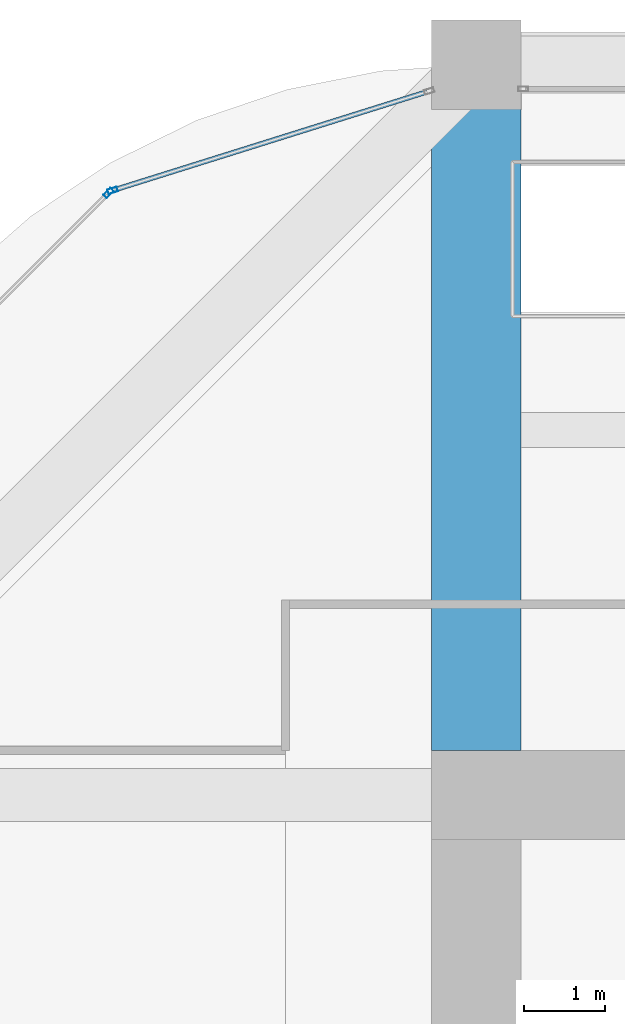
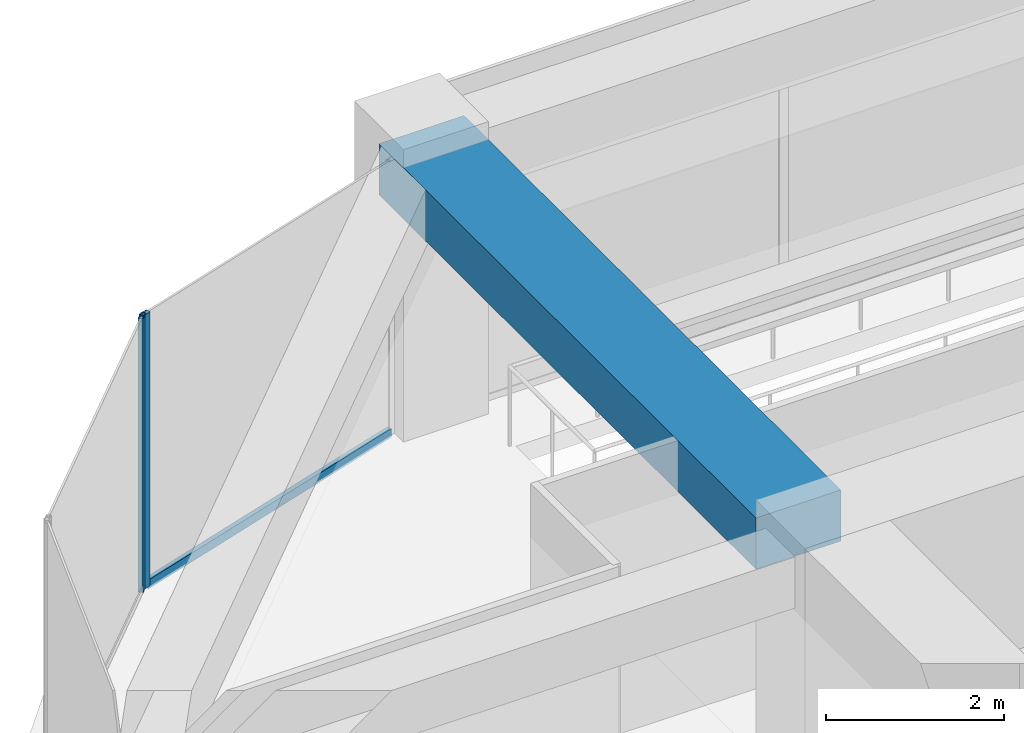
# One storey, part 30 of 44: 3 members, 1 beam, 2 elements without a shape of their own.
"""IFC4 building model written with IfcOpenShell, lengths in metres."""

from ifc_helpers import new_model, si_unit, direction, frame, origin, origin_2d, place, context, subcontext, project, spatial, rectangle, hollow_rectangle, extrude, material, material_profile, profile_set, type_object, element, aggregate, save


model = new_model("IFC4")

# Units and contexts
model_context = context("Model", 3, precision=1e-05, world=origin(), true_north=direction((0.0, 1.0)))
body_context = subcontext(model_context, "Body", "Model", "MODEL_VIEW")
ifc_project = project(units=[si_unit("LENGTHUNIT", "METRE"), si_unit("AREAUNIT", "SQUARE_METRE"), si_unit("VOLUMEUNIT", "CUBIC_METRE"), si_unit("PLANEANGLEUNIT", "RADIAN"), si_unit("MASSUNIT", "GRAM", prefix="KILO")], contexts=[model_context])

# Site, building, storey
site_placement = place(None, origin())
site = spatial("IfcSite", under=ifc_project, at=site_placement, CompositionType="ELEMENT")
building_placement = place(site_placement, origin())
building = spatial("IfcBuilding", under=site, at=building_placement, Name="Zorevar Civic Tower", CompositionType="ELEMENT")
storey_placement = place(building_placement, frame((0.0, 0.0, 275.39990234375)))
storey = spatial("IfcBuildingStorey", under=building, at=storey_placement, Name="L67", CompositionType="ELEMENT", Elevation=275.39990234375)

# Beam
ifc_material_1 = material(Name="Concrete C50/60", Category="concrete")
ifc_material_profile_1 = material_profile(ifc_material_1, rectangle(XDim=1.10009765625, YDim=0.699951171875, at=origin_2d()), Name="RC 1100x700")
ifc_profile_set_1 = profile_set([ifc_material_profile_1], Name="Concrete C50/60")
beam_type = type_object("IfcBeamType", Name="Beam RC 1100x700", PredefinedType="BEAM", material=ifc_profile_set_1)
beam_placement = place(storey_placement, frame((18.0, 36.550048828125, 3.400146484375), z_axis=(0.0, 1.0, 0.0), x_axis=(-1.0, 0.0, 0.0)))
element("IfcBeam", 1, at=beam_placement, inside=storey, type_object=beam_type, Name="Girder L68", PredefinedType="BEAM", context=body_context, shape_type="SweptSolid", body=[
    extrude(rectangle(XDim=1.10009765625, YDim=0.699951171875, at=origin_2d()), origin(), (0.0, 0.0, 1.0), 8.449951171875),
])

# Curtain wall, member
ifc_material_2 = material(Name="Dark grey solar-control glass in black aluminium frame", Category="aluminium")
curtain_wall_type = type_object("IfcCurtainWallType", Name="Curtain wall CW5 top zone", PredefinedType="NOTDEFINED", material=ifc_material_2)
curtain_wall_1_placement = place(storey_placement, origin())
curtain_wall_1 = element("IfcCurtainWall", 2, at=curtain_wall_1_placement, inside=storey, type_object=curtain_wall_type, Name="CW5 L67", PredefinedType="NOTDEFINED")
ifc_material_3 = material(Name="Aluminium, black anodised", Category="aluminium")
ifc_material_profile_2 = material_profile(ifc_material_3, hollow_rectangle(XDim=0.06005859375, YDim=0.1201171875, WallThickness=0.0029296875, at=origin_2d()), Name="AL 120x60x3")
ifc_profile_set_2 = profile_set([ifc_material_profile_2], Name="Aluminium, black anodised")
member_type_1 = type_object("IfcMemberType", Name="CW5 mullion AL 120x60x3", PredefinedType="MULLION", material=ifc_profile_set_2)
member_1_placement = place(storey_placement, frame((13.520751953125, 43.449951171875, 0.0), z_axis=(0.0, 0.0, 1.0), x_axis=(0.299317920238, -0.954153437674, 0.0)))
member_1 = element("IfcMember", 3, at=member_1_placement, type_object=member_type_1, Name="CW5 mullion 2", PredefinedType="MULLION", context=body_context, shape_type="SweptSolid", body=[
    extrude(hollow_rectangle(XDim=0.06005859375, YDim=0.1201171875, WallThickness=0.0029296875, at=origin_2d()), origin(), (0.0, 0.0, 1.0), 3.75),
])

curtain_wall_2_placement = place(storey_placement, origin())
curtain_wall_2 = element("IfcCurtainWall", 4, at=curtain_wall_2_placement, inside=storey, type_object=curtain_wall_type, Name="CW5 L67", PredefinedType="NOTDEFINED")
member_2_placement = place(storey_placement, frame((13.470947265625, 43.419677734375, 0.0), z_axis=(0.0, 0.0, 1.0), x_axis=(0.707106781187, -0.707106781187, 0.0)))
member_2 = element("IfcMember", 5, at=member_2_placement, type_object=member_type_1, Name="CW5 mullion 1", PredefinedType="MULLION", context=body_context, shape_type="SweptSolid", body=[
    extrude(hollow_rectangle(XDim=0.06005859375, YDim=0.1201171875, WallThickness=0.0029296875, at=origin_2d()), origin(), (0.0, 0.0, 1.0), 3.75),
])
aggregate(curtain_wall_2, [member_2])

# Member
ifc_material_4 = material(Name="Aluminium, black anodised", Category="aluminium")
ifc_material_profile_3 = material_profile(ifc_material_4, hollow_rectangle(XDim=0.06005859375, YDim=0.1201171875, WallThickness=0.0029296875, at=origin_2d()), Name="AL 120x60x3")
ifc_profile_set_3 = profile_set([ifc_material_profile_3], Name="Aluminium, black anodised")
member_type_2 = type_object("IfcMemberType", Name="CW5 transom AL 120x60x3", PredefinedType="USERDEFINED", material=ifc_profile_set_3)
member_3_placement = place(storey_placement, frame((17.392822265625, 44.66455078125, 0.030029296875), z_axis=(-0.954163457351, -0.299285978047, 0.0), x_axis=(0.299285978047, -0.954163457351, 0.0)))
member_3 = element("IfcMember", 6, at=member_3_placement, type_object=member_type_2, Name="CW5 sill transom", ObjectType="TRANSOM", PredefinedType="USERDEFINED", context=body_context, shape_type="SweptSolid", body=[
    extrude(hollow_rectangle(XDim=0.06005859375, YDim=0.1201171875, WallThickness=0.0029296875, at=origin_2d()), origin(), (0.0, 0.0, 1.0), 4.028076171875),
])

aggregate(curtain_wall_1, [member_1, member_3])

save(model, "model.ifc")
